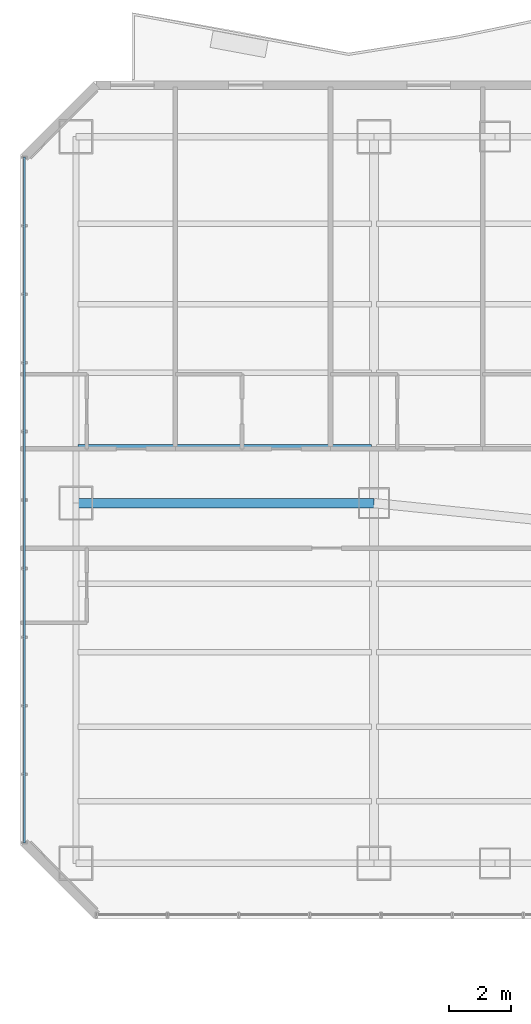
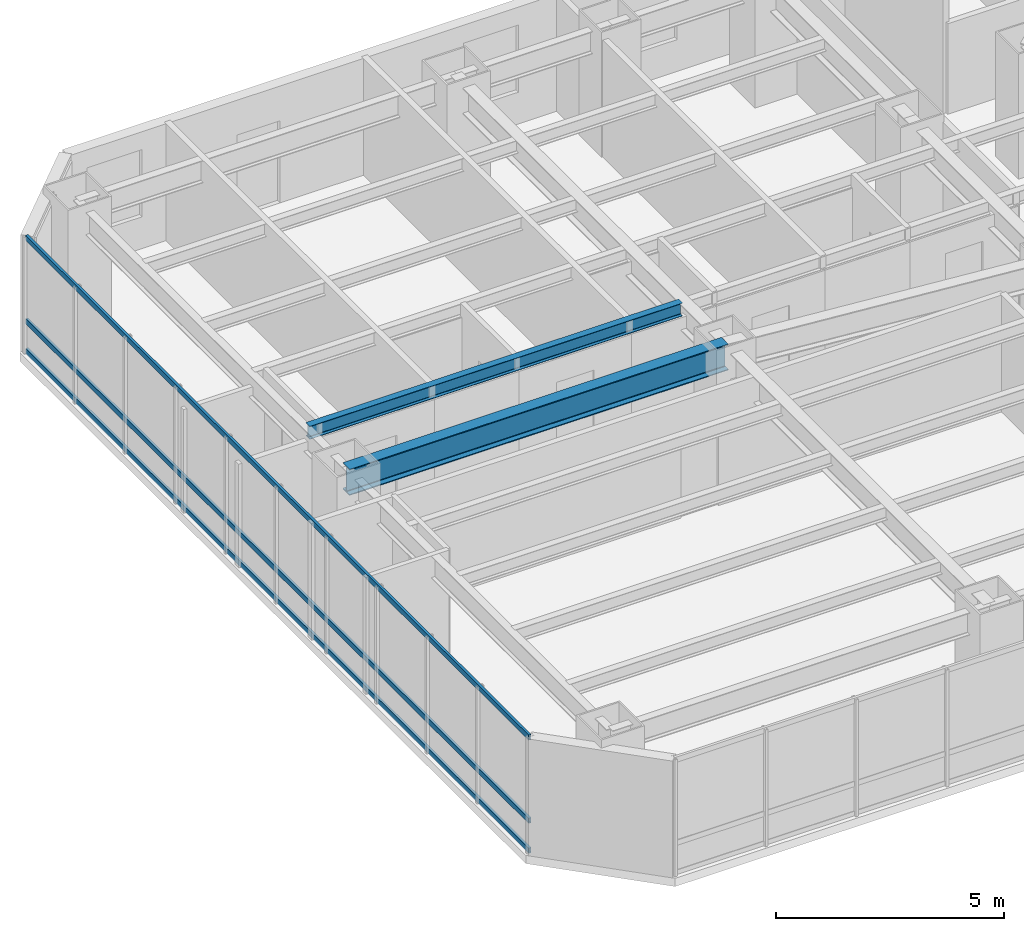
# One storey, part 13 of 33: 3 members, 2 beams, 1 element without a shape of its own.
"""IFC4 building model written with IfcOpenShell, lengths in metres."""

from ifc_helpers import new_model, si_unit, direction, frame, origin, origin_2d, place, context, subcontext, project, spatial, hollow_rectangle, i_section, extrude, material, layer, layer_set, material_profile, profile_set, type_object, element, aggregate, save


model = new_model("IFC4")

# Units and contexts
model_context = context("Model", 3, precision=1e-05, world=origin(), true_north=direction((0.0, 1.0)))
body_context = subcontext(model_context, "Body", "Model", "MODEL_VIEW")
ifc_project = project(units=[si_unit("LENGTHUNIT", "METRE"), si_unit("AREAUNIT", "SQUARE_METRE"), si_unit("VOLUMEUNIT", "CUBIC_METRE"), si_unit("PLANEANGLEUNIT", "RADIAN"), si_unit("MASSUNIT", "GRAM", prefix="KILO")], contexts=[model_context])

# Site, building, storey
site_placement = place(None, origin())
site = spatial("IfcSite", under=ifc_project, at=site_placement, CompositionType="ELEMENT")
building_placement = place(site_placement, origin())
building = spatial("IfcBuilding", under=site, at=building_placement, Name="Hatsunagi Terrace Concourse", CompositionType="ELEMENT")
storey_placement = place(building_placement, frame((0.0, 0.0, 43.300048828125)))
storey = spatial("IfcBuildingStorey", under=building, at=storey_placement, Name="L10", CompositionType="ELEMENT", Elevation=43.300048828125)

# Curtain wall, members
ifc_material_1 = material(Name="Anodised Aluminium Alloy 6063-T5", Category="aluminium")
ifc_layer = layer(ifc_material_1, 0.199951171875)
ifc_layer_set = layer_set([ifc_layer], Name="HotelFacade_CW02")
curtain_wall_type = type_object("IfcCurtainWallType", Name="HotelFacade_CW02", PredefinedType="NOTDEFINED", material=ifc_layer_set)
curtain_wall_placement = place(storey_placement, origin())
curtain_wall = element("IfcCurtainWall", 1, at=curtain_wall_placement, inside=storey, type_object=curtain_wall_type, Name="Unitised Curtain Wall CW-02 CW-L10-09", PredefinedType="NOTDEFINED")
ifc_material_2 = material(Name="Anodised Aluminium Alloy 6063-T5", Category="aluminium")
ifc_material_profile_1 = material_profile(ifc_material_2, hollow_rectangle(XDim=0.06494140625, YDim=0.139892578125, WallThickness=0.00390625, at=origin_2d()), Name="ALU-TRN-140x65x4")
ifc_profile_set_1 = profile_set([ifc_material_profile_1], Name="Anodised Aluminium Alloy 6063-T5")
member_type = type_object("IfcMemberType", Name="CurtainWallTransom_140x65", PredefinedType="USERDEFINED", material=ifc_profile_set_1)
member_1_placement = place(storey_placement, frame((0.139892578125, 25.85791015625, 0.050048828125), z_axis=(0.0, 1.0, 0.0), x_axis=(-1.0, 0.0, 0.0)))
member_1 = element("IfcMember", 2, at=member_1_placement, type_object=member_type, Name="Curtain Wall Transom TRN-02", ObjectType="TRANSOM", PredefinedType="USERDEFINED", context=body_context, shape_type="SweptSolid", body=[
    extrude(hollow_rectangle(XDim=0.06494140625, YDim=0.139892578125, WallThickness=0.00390625, at=origin_2d()), origin(), (0.0, 0.0, 1.0), 22.083984375),
])
member_2_placement = place(storey_placement, frame((0.139892578125, 25.85791015625, 0.849853515625), z_axis=(0.0, 1.0, 0.0), x_axis=(-1.0, 0.0, 0.0)))
member_2 = element("IfcMember", 3, at=member_2_placement, type_object=member_type, Name="Curtain Wall Transom TRN-02", ObjectType="TRANSOM", PredefinedType="USERDEFINED", context=body_context, shape_type="SweptSolid", body=[
    extrude(hollow_rectangle(XDim=0.06494140625, YDim=0.139892578125, WallThickness=0.00390625, at=origin_2d()), origin(), (0.0, 0.0, 1.0), 22.083984375),
])
member_3_placement = place(storey_placement, frame((0.139892578125, 25.85791015625, 3.079833984375), z_axis=(0.0, 1.0, 0.0), x_axis=(-1.0, 0.0, 0.0)))
member_3 = element("IfcMember", 4, at=member_3_placement, type_object=member_type, Name="Curtain Wall Transom TRN-02", ObjectType="TRANSOM", PredefinedType="USERDEFINED", context=body_context, shape_type="SweptSolid", body=[
    extrude(hollow_rectangle(XDim=0.06494140625, YDim=0.139892578125, WallThickness=0.00390625, at=origin_2d()), origin(), (0.0, 0.0, 1.0), 22.083984375),
])
aggregate(curtain_wall, [member_1, member_2, member_3])

# Beams
ifc_material_3 = material(Name="Steel SN490B", Category="steel")
ifc_material_profile_2 = material_profile(ifc_material_3, i_section(OverallWidth=0.300048828125, OverallDepth=0.699951171875, WebThickness=0.012939453125, FlangeThickness=0.02392578125, FilletRadius=0.02197265625, at=origin_2d()), Name="H-700x300x13x24")
ifc_profile_set_2 = profile_set([ifc_material_profile_2], Name="Steel SN490B")
beam_type_1 = type_object("IfcBeamType", Name="HotelFloorGirder_H_700x300", PredefinedType="BEAM", material=ifc_profile_set_2)
beam_1_placement = place(storey_placement, frame((1.800048828125, 36.800048828125, 2.780029296875), z_axis=(1.0, 0.0, 0.0), x_axis=(0.0, 1.0, 0.0)))
element("IfcBeam", 5, at=beam_1_placement, inside=storey, type_object=beam_type_1, Name="Beam G-04 BM-L10-EW-1", PredefinedType="BEAM", context=body_context, shape_type="SweptSolid", body=[
    extrude(i_section(OverallWidth=0.300048828125, OverallDepth=0.699951171875, WebThickness=0.012939453125, FlangeThickness=0.02392578125, FilletRadius=0.02197265625, at=origin_2d()), origin(), (0.0, 0.0, 1.0), 9.599853515625),
])
ifc_material_4 = material(Name="Steel SN490B", Category="steel")
ifc_material_profile_3 = material_profile(ifc_material_4, i_section(OverallWidth=0.175048828125, OverallDepth=0.35009765625, WebThickness=0.007080078125, FlangeThickness=0.010986328125, FilletRadius=0.012939453125, at=origin_2d()), Name="H-350x175x7x11")
ifc_profile_set_3 = profile_set([ifc_material_profile_3], Name="Steel SN490B")
beam_type_2 = type_object("IfcBeamType", Name="HotelJoist_H_350x175", PredefinedType="JOIST", material=ifc_profile_set_3)
beam_2_placement = place(storey_placement, frame((1.864990234375, 38.60009765625, 2.954833984375), z_axis=(1.0, 0.0, 0.0), x_axis=(0.0, 1.0, 0.0)))
element("IfcBeam", 6, at=beam_2_placement, inside=storey, type_object=beam_type_2, Name="Beam J-02 J-L10-W-1-386", PredefinedType="JOIST", context=body_context, shape_type="SweptSolid", body=[
    extrude(i_section(OverallWidth=0.175048828125, OverallDepth=0.35009765625, WebThickness=0.007080078125, FlangeThickness=0.010986328125, FilletRadius=0.012939453125, at=origin_2d()), origin(), (0.0, 0.0, 1.0), 9.449951171875),
])

save(model, "model.ifc")
